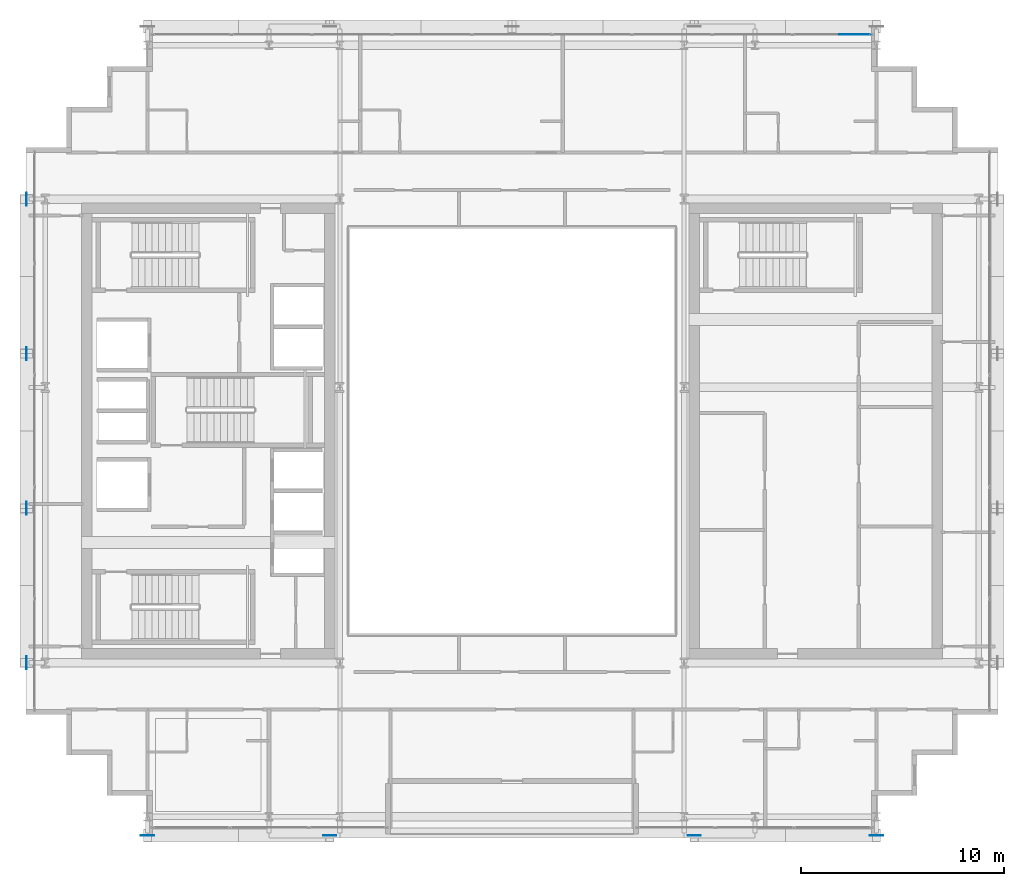
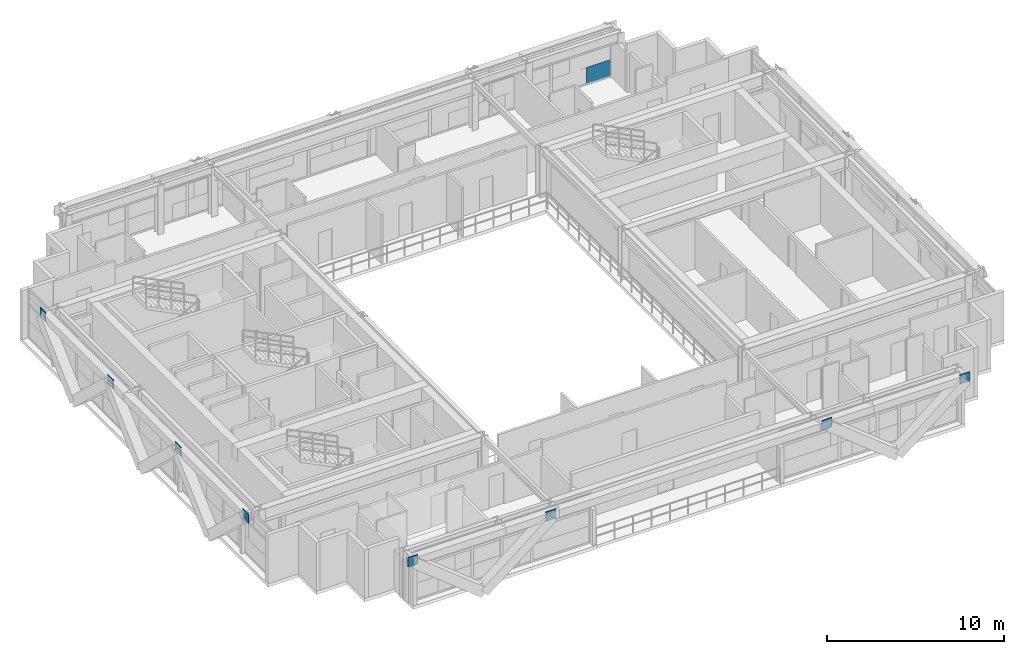
# One storey, part 22 of 32: 9 plates, 1 element without a shape of its own.
"""IFC4 building model written with IfcOpenShell, lengths in metres."""

from ifc_helpers import new_model, si_unit, direction, frame, origin, origin_2d, place, context, subcontext, project, spatial, rectangle, extrude, source, transform, mapped, material, layer, layer_set, type_object, element, aggregate, save


model = new_model("IFC4")

# Units and contexts
model_context = context("Model", 3, precision=1e-05, world=origin(), true_north=direction((0.0, 1.0)))
body_context = subcontext(model_context, "Body", "Model", "MODEL_VIEW")
ifc_project = project(units=[si_unit("LENGTHUNIT", "METRE"), si_unit("AREAUNIT", "SQUARE_METRE"), si_unit("VOLUMEUNIT", "CUBIC_METRE"), si_unit("PLANEANGLEUNIT", "RADIAN"), si_unit("MASSUNIT", "GRAM", prefix="KILO")], contexts=[model_context])

# Site, building, storey
site_placement = place(None, origin())
site = spatial("IfcSite", under=ifc_project, at=site_placement, CompositionType="ELEMENT")
building_placement = place(site_placement, origin())
building = spatial("IfcBuilding", under=site, at=building_placement, Name="Ocotamira Hotel", CompositionType="ELEMENT")
storey_placement = place(building_placement, frame((0.0, 0.0, 213.60009765625)))
storey = spatial("IfcBuildingStorey", under=building, at=storey_placement, Name="L54", CompositionType="ELEMENT", Elevation=213.60009765625)

# Plates
ifc_material_1 = material(Name="Pale-metal coated steel ASTM A572 Grade 50", Category="steel")
ifc_layer_1 = layer(ifc_material_1, 0.0400390625)
ifc_layer_set_1 = layer_set([ifc_layer_1], Name="Pale-metal coated steel ASTM A572 Grade 50")
plate_type_1 = type_object("IfcPlateType", Name="PLT-GUSSET-40", PredefinedType="SHEET", material=ifc_layer_set_1)
shared_shape_1 = source(origin(), body_context, "Body", "SweptSolid", [
    extrude(rectangle(XDim=0.64990234375, YDim=0.0400390625, at=origin_2d()), origin(), (0.0, 0.0, 1.0), 0.64990234375),
])
for number, where, z_axis, x_axis, name in (
    (1, (14.0, 6.030029296875, 2.794921875), (0.0, 0.0, 1.0), (-1.0, 0.0, 0.0), "L54 Exoskeleton Diagrid S0.1 End Gusset B"),
    (2, (23.0, 6.030029296875, 2.794921875), (0.0, 0.0, 1.0), (1.0, 0.0, 0.0), "L54 Exoskeleton Diagrid S0.2 End Gusset B"),
    (3, (41.0, 6.030029296875, 2.794921875), (0.0, 0.0, 1.0), (-1.0, 0.0, 0.0), "L54 Exoskeleton Diagrid S3.1 End Gusset B"),
    (4, (50.0, 6.030029296875, 2.794921875), (0.0, 0.0, 1.0), (1.0, 0.0, 0.0), "L54 Exoskeleton Diagrid S3.2 End Gusset B"),
):
    element("IfcPlate", number, at=place(storey_placement, frame(where, z_axis=z_axis, x_axis=x_axis)), inside=storey, type_object=plate_type_1, Name=name, PredefinedType="SHEET", context=body_context, shape_type="MappedRepresentation", body=[
        mapped(shared_shape_1, transform((0.0, 0.0, 0.0), scale=1.0)),
    ])
shared_shape_2 = source(origin(), body_context, "Body", "SweptSolid", [
    extrude(rectangle(XDim=0.0400390625, YDim=0.64990234375, at=origin_2d()), origin(), (0.0, 0.0, 1.0), 0.64990234375),
])
for number, where, z_axis, x_axis, name in (
    (5, (8.030029296875, 14.550048828125, 2.794921875), (0.0, 0.0, 1.0), (1.0, 0.0, 0.0), "L54 Exoskeleton Diagrid W0.1 End Gusset B"),
    (6, (8.030029296875, 22.183349609375, 2.794921875), (0.0, 0.0, 1.0), (1.0, 0.0, 0.0), "L54 Exoskeleton Diagrid W0.2 End Gusset B"),
    (7, (8.030029296875, 29.816650390625, 2.794921875), (0.0, 0.0, 1.0), (1.0, 0.0, 0.0), "L54 Exoskeleton Diagrid W1.2 End Gusset B"),
    (8, (8.030029296875, 37.449951171875, 2.794921875), (0.0, 0.0, 1.0), (1.0, 0.0, 0.0), "L54 Exoskeleton Diagrid W2.2 End Gusset B"),
):
    element("IfcPlate", number, at=place(storey_placement, frame(where, z_axis=z_axis, x_axis=x_axis)), inside=storey, type_object=plate_type_1, Name=name, PredefinedType="SHEET", context=body_context, shape_type="MappedRepresentation", body=[
        mapped(shared_shape_2, transform((0.0, 0.0, 0.0), scale=1.0)),
    ])

# Curtain wall, plate
ifc_material_2 = material(Name="Anodised pale-metal aluminium and solar glass", Category="aluminium")
ifc_layer_2 = layer(ifc_material_2, 0.199951171875)
ifc_layer_set_2 = layer_set([ifc_layer_2], Name="Anodised pale-metal aluminium and solar glass")
curtain_wall_type = type_object("IfcCurtainWallType", Name="CW-SYS4-Z3", PredefinedType="NOTDEFINED", material=ifc_layer_set_2)
curtain_wall_placement = place(storey_placement, origin())
curtain_wall = element("IfcCurtainWall", 9, at=curtain_wall_placement, inside=storey, type_object=curtain_wall_type, Name="L54 Curtain Wall CW-4 CW-L54-N", PredefinedType="NOTDEFINED")
ifc_material_3 = material(Name="Double-silver low-E insulated solar glass", Category="glass")
ifc_layer_3 = layer(ifc_material_3, 0.031982421875)
ifc_layer_set_3 = layer_set([ifc_layer_3], Name="Double-silver low-E insulated solar glass")
plate_type_2 = type_object("IfcPlateType", Name="CWP-VISION-32", PredefinedType="CURTAIN_PANEL", material=ifc_layer_set_3)
shared_shape_3 = source(origin(), body_context, "Body", "SweptSolid", [
    extrude(rectangle(XDim=1.5673828125, YDim=0.031982421875, at=origin_2d()), origin(), (0.0, 0.0, 1.0), 1.11865234375),
])
plate_placement = place(storey_placement, frame((48.936279296875, 45.580078125, 0.074951171875), z_axis=(0.0, 0.0, 1.0), x_axis=(1.0, 0.0, 0.0)))
plate = element("IfcPlate", 10, at=plate_placement, type_object=plate_type_2, Name="CW-4 panel 9.1.2", PredefinedType="CURTAIN_PANEL", context=body_context, shape_type="MappedRepresentation", body=[
    mapped(shared_shape_3, transform((0.0, 0.0, 0.0), scale=1.0)),
])
aggregate(curtain_wall, [plate])

save(model, "model.ifc")
